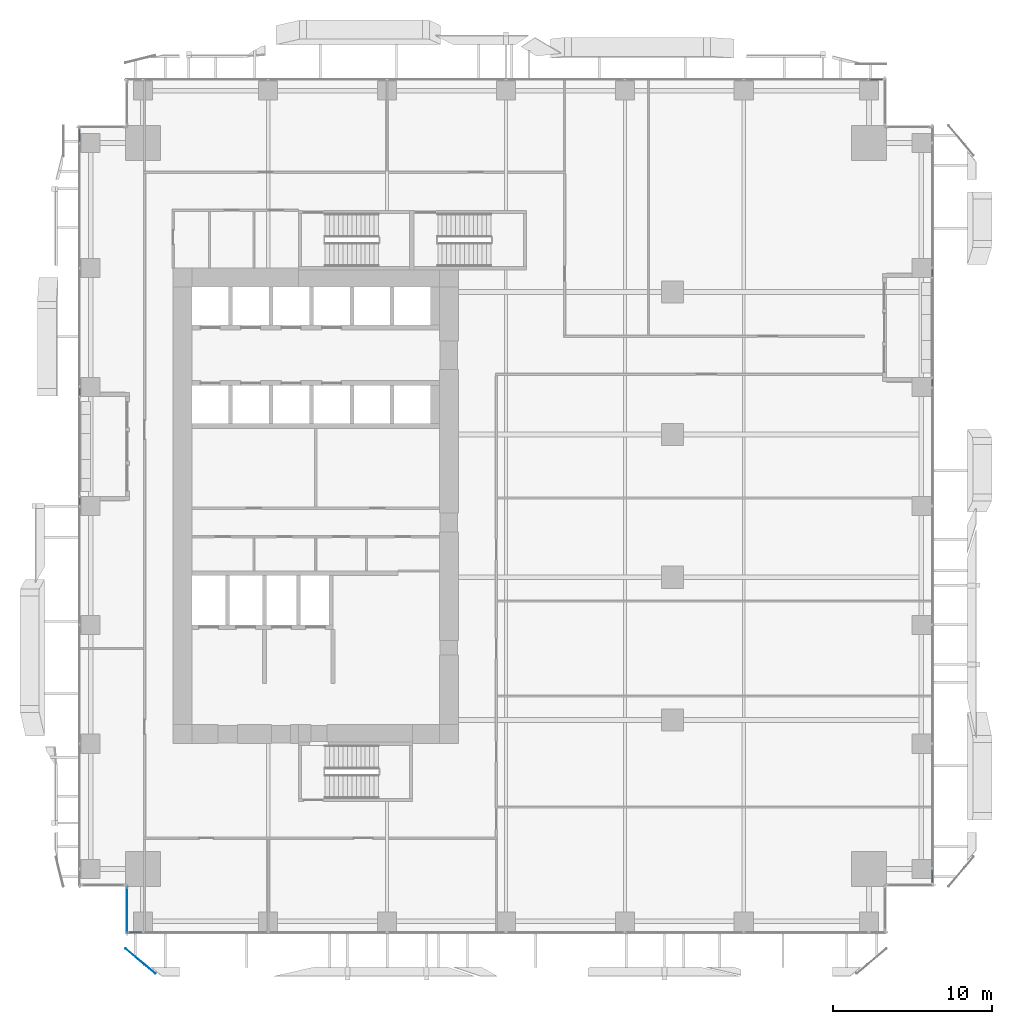
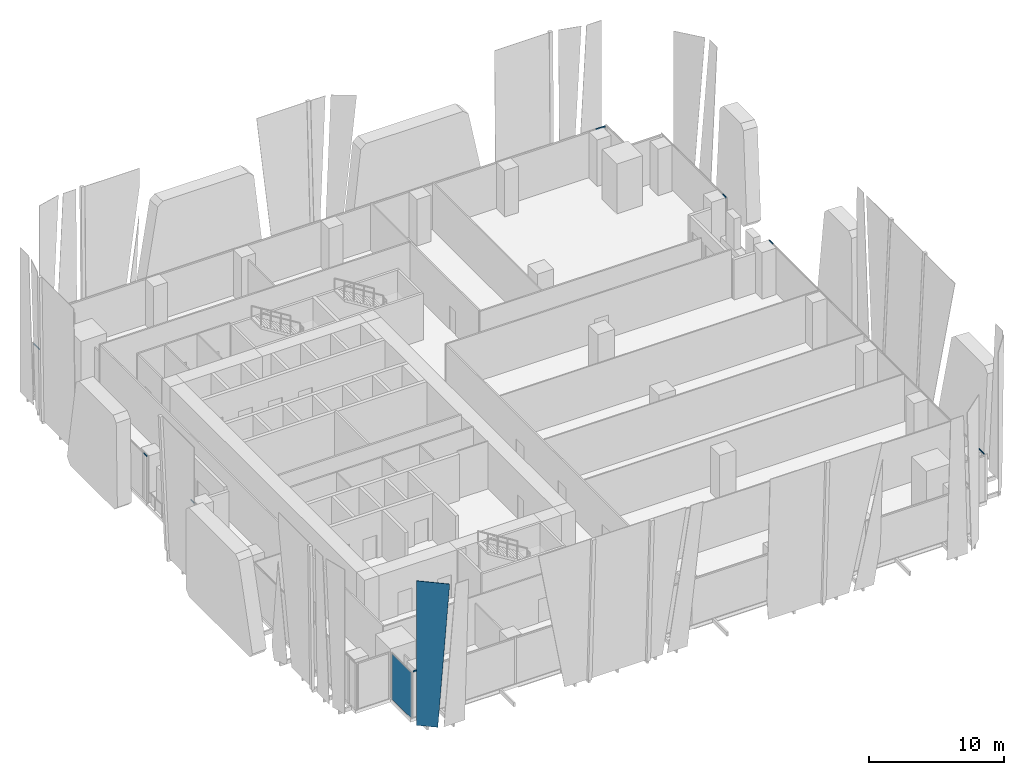
# One storey, part 23 of 37: 8 members, 2 plates, 7 elements without a shape of their own.
"""IFC4 building model written with IfcOpenShell, lengths in metres."""

from ifc_helpers import new_model, si_unit, direction, frame, origin, origin_2d, place, context, subcontext, project, spatial, polyline, rectangle, hollow_rectangle, outline, extrude, source, transform, mapped, material, layer, layer_set, material_profile, profile_set, type_object, element, aggregate, save


model = new_model("IFC4")

# Units and contexts
model_context = context("Model", 3, precision=1e-05, world=origin(), true_north=direction((0.0, 1.0)))
body_context = subcontext(model_context, "Body", "Model", "MODEL_VIEW")
ifc_project = project(units=[si_unit("LENGTHUNIT", "METRE"), si_unit("AREAUNIT", "SQUARE_METRE"), si_unit("VOLUMEUNIT", "CUBIC_METRE"), si_unit("PLANEANGLEUNIT", "RADIAN"), si_unit("MASSUNIT", "GRAM", prefix="KILO")], contexts=[model_context])

# Site, building, storey
site_placement = place(None, origin())
site = spatial("IfcSite", under=ifc_project, at=site_placement, CompositionType="ELEMENT")
building_placement = place(site_placement, origin())
building = spatial("IfcBuilding", under=site, at=building_placement, Name="Khomas Fold Tower", CompositionType="ELEMENT")
storey_placement = place(building_placement, frame((0.0, 0.0, 60.0)))
storey = spatial("IfcBuildingStorey", under=building, at=storey_placement, Name="L12", CompositionType="ELEMENT", Elevation=60.0)

# Curtain wall, member
ifc_material_1 = material(Name="Aluminium framed double glazing", Category="aluminium")
curtain_wall_type = type_object("IfcCurtainWallType", Name="SK-Unitised clear-glass wall, growing floors CW1", PredefinedType="NOTDEFINED", material=ifc_material_1)
curtain_wall_1_placement = place(storey_placement, origin())
curtain_wall_1 = element("IfcCurtainWall", 1, at=curtain_wall_1_placement, inside=storey, type_object=curtain_wall_type, Name="CW1 run L12 00-0", PredefinedType="NOTDEFINED")
ifc_material_2 = material(Name="Aluminium", Category="aluminium")
ifc_material_profile = material_profile(ifc_material_2, hollow_rectangle(XDim=0.06005859375, YDim=0.1201171875, WallThickness=0.00390625, at=origin_2d()), Name="SK-Unitised clear-glass wall, growing floors transom CW1-T")
ifc_profile_set = profile_set([ifc_material_profile], Name="Aluminium")
member_type = type_object("IfcMemberType", Name="SK-Unitised clear-glass wall, growing floors transom CW1-T", PredefinedType="USERDEFINED", material=ifc_profile_set)
shared_shape_1 = source(origin(), body_context, "Body", "SweptSolid", [
    extrude(hollow_rectangle(XDim=0.06005859375, YDim=0.1201171875, WallThickness=0.00390625, at=origin_2d()), origin(), (0.0, 0.0, 1.0), 0.81005859375),
])
member_1_placement = place(storey_placement, frame((3.260009765625, 0.10009765625, 4.139892578125), z_axis=(1.0, 0.0, 0.0), x_axis=(0.0, 1.0, 0.0)))
member_1 = element("IfcMember", 2, at=member_1_placement, type_object=member_type, Name="CW1 transom 1", ObjectType="TRANSOM", PredefinedType="USERDEFINED", context=body_context, shape_type="MappedRepresentation", body=[
    mapped(shared_shape_1, transform((0.0, 0.0, 0.0))),
])
aggregate(curtain_wall_1, [member_1])

curtain_wall_2_placement = place(storey_placement, origin())
curtain_wall_2 = element("IfcCurtainWall", 3, at=curtain_wall_2_placement, inside=storey, type_object=curtain_wall_type, Name="CW1 run L12 03-0", PredefinedType="NOTDEFINED")
member_2_placement = place(storey_placement, frame((53.89990234375, 3.260009765625, 4.139892578125), z_axis=(0.0, 1.0, 0.0), x_axis=(-1.0, 0.0, 0.0)))
member_2 = element("IfcMember", 4, at=member_2_placement, type_object=member_type, Name="CW1 transom 1", ObjectType="TRANSOM", PredefinedType="USERDEFINED", context=body_context, shape_type="MappedRepresentation", body=[
    mapped(shared_shape_1, transform((0.0, 0.0, 0.0))),
])

curtain_wall_3_placement = place(storey_placement, origin())
curtain_wall_3 = element("IfcCurtainWall", 5, at=curtain_wall_3_placement, inside=storey, type_object=curtain_wall_type, Name="CW1 run L12 06-0", PredefinedType="NOTDEFINED")
member_3_placement = place(storey_placement, frame((50.739990234375, 53.89990234375, 4.139892578125), z_axis=(-1.0, 0.0, 0.0), x_axis=(0.0, -1.0, 0.0)))
member_3 = element("IfcMember", 6, at=member_3_placement, type_object=member_type, Name="CW1 transom 1", ObjectType="TRANSOM", PredefinedType="USERDEFINED", context=body_context, shape_type="MappedRepresentation", body=[
    mapped(shared_shape_1, transform((0.0, 0.0, 0.0))),
])
aggregate(curtain_wall_3, [member_3])

curtain_wall_4_placement = place(storey_placement, origin())
curtain_wall_4 = element("IfcCurtainWall", 7, at=curtain_wall_4_placement, inside=storey, type_object=curtain_wall_type, Name="CW1 run L12 09-0", PredefinedType="NOTDEFINED")
member_4_placement = place(storey_placement, frame((0.10009765625, 50.739990234375, 4.139892578125), z_axis=(0.0, -1.0, 0.0), x_axis=(1.0, 0.0, 0.0)))
member_4 = element("IfcMember", 8, at=member_4_placement, type_object=member_type, Name="CW1 transom 1", ObjectType="TRANSOM", PredefinedType="USERDEFINED", context=body_context, shape_type="MappedRepresentation", body=[
    mapped(shared_shape_1, transform((0.0, 0.0, 0.0))),
])

# Member
shared_shape_2 = source(origin(), body_context, "Body", "SweptSolid", [
    extrude(hollow_rectangle(XDim=0.06005859375, YDim=0.1201171875, WallThickness=0.00390625, at=origin_2d()), origin(), (0.0, 0.0, 1.0), 0.510009765625),
])
member_5_placement = place(storey_placement, frame((53.89990234375, 34.530029296875, 4.139892578125), z_axis=(0.0, 1.0, 0.0), x_axis=(-1.0, 0.0, 0.0)))
member_5 = element("IfcMember", 9, at=member_5_placement, type_object=member_type, Name="CW1 transom 6", ObjectType="TRANSOM", PredefinedType="USERDEFINED", context=body_context, shape_type="MappedRepresentation", body=[
    mapped(shared_shape_2, transform((0.0, 0.0, 0.0))),
])

aggregate(curtain_wall_2, [member_2, member_5])

# Curtain wall, member
curtain_wall_5_placement = place(storey_placement, origin())
curtain_wall_5 = element("IfcCurtainWall", 10, at=curtain_wall_5_placement, inside=storey, type_object=curtain_wall_type, Name="CW1 run L12 03-1", PredefinedType="NOTDEFINED")
member_6_placement = place(storey_placement, frame((53.89990234375, 41.4599609375, 4.139892578125), z_axis=(0.0, 1.0, 0.0), x_axis=(-1.0, 0.0, 0.0)))
member_6 = element("IfcMember", 11, at=member_6_placement, type_object=member_type, Name="CW1 transom 1", ObjectType="TRANSOM", PredefinedType="USERDEFINED", context=body_context, shape_type="MappedRepresentation", body=[
    mapped(shared_shape_2, transform((0.0, 0.0, 0.0))),
])
aggregate(curtain_wall_5, [member_6])

# Member
member_7_placement = place(storey_placement, frame((0.10009765625, 34.469970703125, 4.139892578125), z_axis=(0.0, -1.0, 0.0), x_axis=(1.0, 0.0, 0.0)))
member_7 = element("IfcMember", 12, at=member_7_placement, type_object=member_type, Name="CW1 transom 4", ObjectType="TRANSOM", PredefinedType="USERDEFINED", context=body_context, shape_type="MappedRepresentation", body=[
    mapped(shared_shape_2, transform((0.0, 0.0, 0.0))),
])

aggregate(curtain_wall_4, [member_4, member_7])

# Curtain wall, member
curtain_wall_6_placement = place(storey_placement, origin())
curtain_wall_6 = element("IfcCurtainWall", 13, at=curtain_wall_6_placement, inside=storey, type_object=curtain_wall_type, Name="CW1 run L12 09-1", PredefinedType="NOTDEFINED")
member_8_placement = place(storey_placement, frame((0.10009765625, 27.5400390625, 4.139892578125), z_axis=(0.0, -1.0, 0.0), x_axis=(1.0, 0.0, 0.0)))
member_8 = element("IfcMember", 14, at=member_8_placement, type_object=member_type, Name="CW1 transom 1", ObjectType="TRANSOM", PredefinedType="USERDEFINED", context=body_context, shape_type="MappedRepresentation", body=[
    mapped(shared_shape_2, transform((0.0, 0.0, 0.0))),
])
aggregate(curtain_wall_6, [member_8])

# Plate
ifc_material_3 = material(Name="Clear laminated glass", Category="glass")
ifc_layer_1 = layer(ifc_material_3, 0.0400390625)
ifc_layer_set_1 = layer_set([ifc_layer_1], Name="Clear laminated glass")
plate_type_1 = type_object("IfcPlateType", Name="SK-Clear laminated glass leaf", PredefinedType="SHEET", material=ifc_layer_set_1)
plate_1_placement = place(storey_placement, frame((4.21875, -1.91552734375, 0.0), z_axis=(0.640190306177, 0.768216357464, 9.34679e-07), x_axis=(-0.768216357465, 0.640190306178, 7e-12)))
element("IfcPlate", 15, at=plate_1_placement, inside=storey, type_object=plate_type_1, Name="OUTER SKIN glass L12 SG098-2", PredefinedType="SHEET", context=body_context, shape_type="SweptSolid", body=[
    extrude(outline(polyline([(0.0, 0.0), (1.586456965371648, 0.0), (1.5864569654654304, 13.0500488281193), (-0.8927258922108855, 13.050048828148517), (0.0, 0.0)])), origin(), (0.0, 0.0, -1.0), 0.0400390625),
])

# Curtain wall, plate
curtain_wall_7_placement = place(storey_placement, origin())
curtain_wall_7 = element("IfcCurtainWall", 16, at=curtain_wall_7_placement, inside=storey, type_object=curtain_wall_type, Name="CW1 corner return L12 11", PredefinedType="NOTDEFINED")
ifc_material_4 = material(Name="Clear double glazed unit")
ifc_layer_2 = layer(ifc_material_4, 0.031982421875)
ifc_layer_set_2 = layer_set([ifc_layer_2], Name="Clear double glazed unit")
plate_type_2 = type_object("IfcPlateType", Name="SK-Unitised clear-glass wall, growing floors glass panel CW1-P", PredefinedType="CURTAIN_PANEL", material=ifc_layer_set_2)
shared_shape_3 = source(origin(), body_context, "Body", "SweptSolid", [
    extrude(rectangle(XDim=2.8798828125, YDim=0.031982421875, at=origin_2d()), origin(), (0.0, 0.0, 1.0), 4.080078125),
])
plate_2_placement = place(storey_placement, frame((3.10009765625, 1.5, 0.0), z_axis=(0.0, 0.0, 1.0), x_axis=(0.0, -1.0, 0.0)))
plate_2 = element("IfcPlate", 17, at=plate_2_placement, type_object=plate_type_2, Name="CW1 glass panel 1", PredefinedType="CURTAIN_PANEL", context=body_context, shape_type="MappedRepresentation", body=[
    mapped(shared_shape_3, transform((0.0, 0.0, 0.0))),
])
aggregate(curtain_wall_7, [plate_2])

save(model, "model.ifc")
